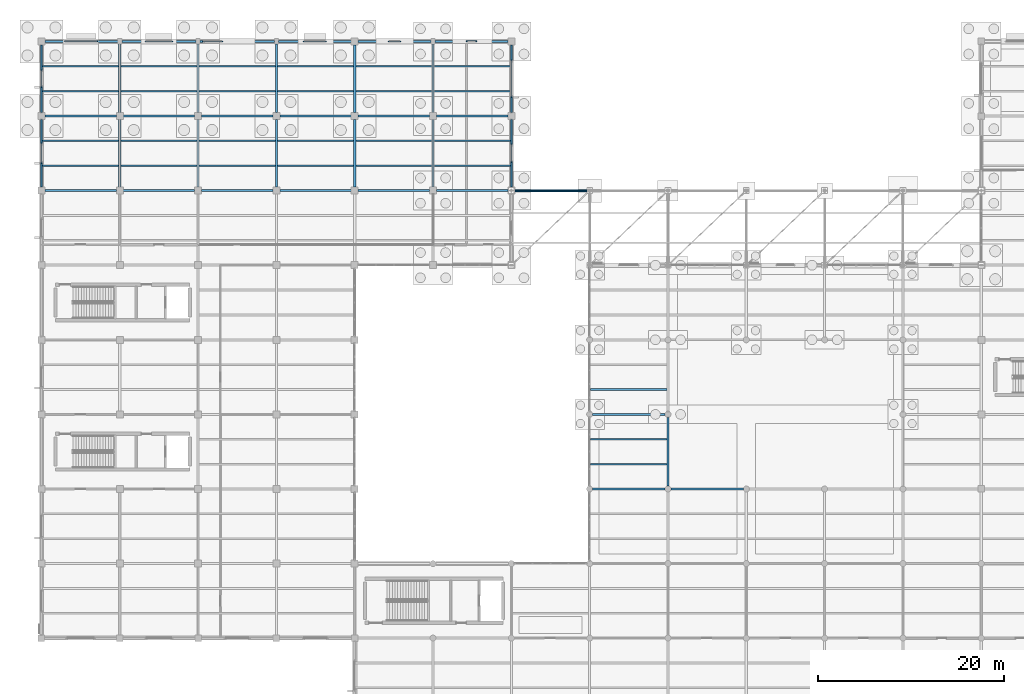
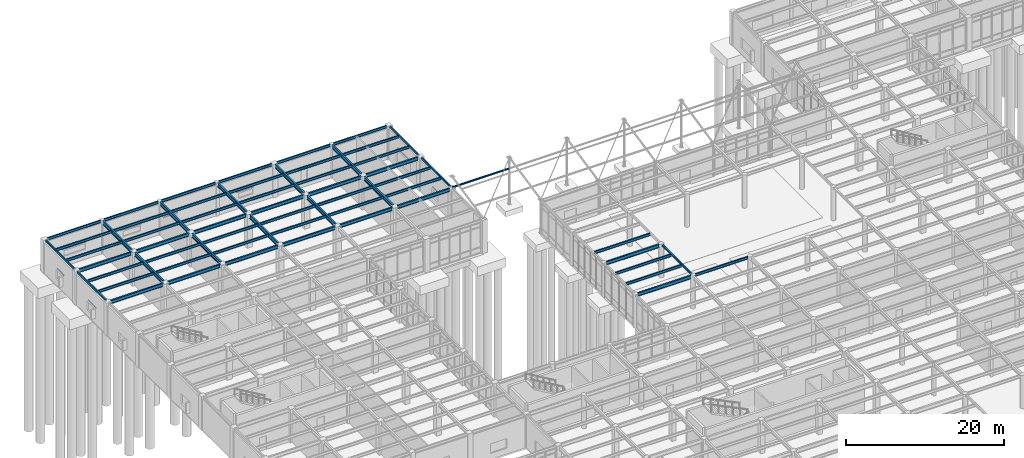
# One storey, part 42 of 138: 73 beams, 1 member.
"""IFC4 building model written with IfcOpenShell, lengths in metres."""

from ifc_helpers import new_model, si_unit, direction, frame, origin, origin_2d, place, context, subcontext, project, spatial, hollow_rectangle, hollow_circle, i_section, u_section, extrude, material, material_profile, profile_set, type_object, element, save


model = new_model("IFC4")

# Units and contexts
model_context = context("Model", 3, precision=1e-05, world=origin(), true_north=direction((0.0, 1.0)))
body_context = subcontext(model_context, "Body", "Model", "MODEL_VIEW")
ifc_project = project(units=[si_unit("LENGTHUNIT", "METRE"), si_unit("AREAUNIT", "SQUARE_METRE"), si_unit("VOLUMEUNIT", "CUBIC_METRE"), si_unit("PLANEANGLEUNIT", "RADIAN"), si_unit("MASSUNIT", "GRAM", prefix="KILO")], contexts=[model_context])

# Site, building, storey
site_placement = place(None, origin())
site = spatial("IfcSite", under=ifc_project, at=site_placement, CompositionType="ELEMENT")
building_placement = place(site_placement, origin())
building = spatial("IfcBuilding", under=site, at=building_placement, Name="Kranzveld Transit Interchange", CompositionType="ELEMENT")
storey_placement = place(building_placement, origin())
storey = spatial("IfcBuildingStorey", under=building, at=storey_placement, Name="L00", CompositionType="ELEMENT", Elevation=0.0)

# Beams
ifc_material_1 = material(Name="Steel S355JR", Category="steel")
ifc_material_profile_1 = material_profile(ifc_material_1, hollow_rectangle(XDim=0.199951171875, YDim=0.300048828125, WallThickness=0.010009765625, InnerFilletRadius=0.014892578125, OuterFilletRadius=0.02490234375, at=origin_2d()), Name="RHS 300x200x10")
ifc_profile_set_1 = profile_set([ifc_material_profile_1], Name="Steel S355JR")
beam_type_1 = type_object("IfcBeamType", Name="Edge Spandrel RHS 300x200x10 S355JR", PredefinedType="SPANDREL", material=ifc_profile_set_1)
for number, where, z_axis, x_axis, name in (
    (1, (0.0, 96.364990234375, 5.0), (0.0, 1.0, 0.0), (-1.0, 0.0, 0.0), "L00 Girder 01/N-P"),
    (2, (0.0, 104.364990234375, 5.0), (0.0, 1.0, 0.0), (-1.0, 0.0, 0.0), "L00 Girder 01/P-Q"),
    (3, (50.39990234375, 96.364990234375, 5.0), (0.0, 1.0, 0.0), (-1.0, 0.0, 0.0), "L00 Girder 07/N-P"),
    (4, (50.39990234375, 104.364990234375, 5.0), (0.0, 1.0, 0.0), (-1.0, 0.0, 0.0), "L00 Girder 07/P-Q"),
):
    element("IfcBeam", number, at=place(storey_placement, frame(where, z_axis=z_axis, x_axis=x_axis)), inside=storey, type_object=beam_type_1, Name=name, PredefinedType="SPANDREL", context=body_context, shape_type="SweptSolid", body=[
        extrude(hollow_rectangle(XDim=0.199951171875, YDim=0.300048828125, WallThickness=0.010009765625, InnerFilletRadius=0.014892578125, OuterFilletRadius=0.02490234375, at=origin_2d()), origin(), (0.0, 0.0, 1.0), 7.27001953125),
    ])
beam_1_placement = place(storey_placement, frame((67.199951171875, 64.31494140625, 5.0), z_axis=(0.0, 1.0, 0.0), x_axis=(-1.0, 0.0, 0.0)))
element("IfcBeam", 5, at=beam_1_placement, inside=storey, type_object=beam_type_1, Name="L00 Girder 09/J-K", PredefinedType="SPANDREL", context=body_context, shape_type="SweptSolid", body=[
    extrude(hollow_rectangle(XDim=0.199951171875, YDim=0.300048828125, WallThickness=0.010009765625, InnerFilletRadius=0.014892578125, OuterFilletRadius=0.02490234375, at=origin_2d()), origin(), (0.0, 0.0, 1.0), 7.3701171875),
])
ifc_material_2 = material(Name="Steel S355JR", Category="steel")
ifc_material_profile_2 = material_profile(ifc_material_2, i_section(OverallWidth=0.1787109375, OverallDepth=0.409423828125, WebThickness=0.0087890625, FlangeThickness=0.014404296875, FilletRadius=0.01025390625, at=origin_2d()), Name="UB 406x178x67")
ifc_profile_set_2 = profile_set([ifc_material_profile_2], Name="Steel S355JR")
beam_type_2 = type_object("IfcBeamType", Name="Facade Spandrel UB 406x178x67 S355JR", PredefinedType="SPANDREL", material=ifc_profile_set_2)
beam_2_placement = place(storey_placement, frame((67.514892578125, 64.0, 4.9453125), z_axis=(1.0, 0.0, 0.0), x_axis=(0.0, 1.0, 0.0)))
element("IfcBeam", 6, at=beam_2_placement, inside=storey, type_object=beam_type_2, Name="L00 Girder 09-10/J", PredefinedType="SPANDREL", context=body_context, shape_type="SweptSolid", body=[
    extrude(i_section(OverallWidth=0.1787109375, OverallDepth=0.409423828125, WebThickness=0.0087890625, FlangeThickness=0.014404296875, FilletRadius=0.01025390625, at=origin_2d()), origin(), (0.0, 0.0, 1.0), 7.77001953125),
])
beam_3_placement = place(storey_placement, frame((0.364990234375, 112.0, 4.9453125), z_axis=(1.0, 0.0, 0.0), x_axis=(0.0, 1.0, 0.0)))
element("IfcBeam", 7, at=beam_3_placement, inside=storey, type_object=beam_type_2, Name="L00 Girder 01-02/Q", PredefinedType="SPANDREL", context=body_context, shape_type="SweptSolid", body=[
    extrude(i_section(OverallWidth=0.1787109375, OverallDepth=0.409423828125, WebThickness=0.0087890625, FlangeThickness=0.014404296875, FilletRadius=0.01025390625, at=origin_2d()), origin(), (0.0, 0.0, 1.0), 7.820068359375),
])
beam_4_placement = place(storey_placement, frame((8.614990234375, 112.0, 4.9453125), z_axis=(1.0, 0.0, 0.0), x_axis=(0.0, 1.0, 0.0)))
element("IfcBeam", 8, at=beam_4_placement, inside=storey, type_object=beam_type_2, Name="L00 Girder 02-03/Q", PredefinedType="SPANDREL", context=body_context, shape_type="SweptSolid", body=[
    extrude(i_section(OverallWidth=0.1787109375, OverallDepth=0.409423828125, WebThickness=0.0087890625, FlangeThickness=0.014404296875, FilletRadius=0.01025390625, at=origin_2d()), origin(), (0.0, 0.0, 1.0), 7.969970703125),
])
beam_5_placement = place(storey_placement, frame((17.014892578125, 112.0, 4.9453125), z_axis=(1.0, 0.0, 0.0), x_axis=(0.0, 1.0, 0.0)))
element("IfcBeam", 9, at=beam_5_placement, inside=storey, type_object=beam_type_2, Name="L00 Girder 03-04/Q", PredefinedType="SPANDREL", context=body_context, shape_type="SweptSolid", body=[
    extrude(i_section(OverallWidth=0.1787109375, OverallDepth=0.409423828125, WebThickness=0.0087890625, FlangeThickness=0.014404296875, FilletRadius=0.01025390625, at=origin_2d()), origin(), (0.0, 0.0, 1.0), 7.97021484375),
])
beam_6_placement = place(storey_placement, frame((25.4150390625, 112.0, 4.9453125), z_axis=(1.0, 0.0, 0.0), x_axis=(0.0, 1.0, 0.0)))
element("IfcBeam", 10, at=beam_6_placement, inside=storey, type_object=beam_type_2, Name="L00 Girder 04-05/Q", PredefinedType="SPANDREL", context=body_context, shape_type="SweptSolid", body=[
    extrude(i_section(OverallWidth=0.1787109375, OverallDepth=0.409423828125, WebThickness=0.0087890625, FlangeThickness=0.014404296875, FilletRadius=0.01025390625, at=origin_2d()), origin(), (0.0, 0.0, 1.0), 7.820068359375),
])
for number, where, z_axis, x_axis, name in (
    (11, (33.965087890625, 112.0, 4.9453125), (1.0, 0.0, 0.0), (0.0, 1.0, 0.0), "L00 Girder 05-06/Q"),
    (12, (42.215087890625, 112.0, 4.9453125), (1.0, 0.0, 0.0), (0.0, 1.0, 0.0), "L00 Girder 06-07/Q"),
):
    element("IfcBeam", number, at=place(storey_placement, frame(where, z_axis=z_axis, x_axis=x_axis)), inside=storey, type_object=beam_type_2, Name=name, PredefinedType="SPANDREL", context=body_context, shape_type="SweptSolid", body=[
        extrude(i_section(OverallWidth=0.1787109375, OverallDepth=0.409423828125, WebThickness=0.0087890625, FlangeThickness=0.014404296875, FilletRadius=0.01025390625, at=origin_2d()), origin(), (0.0, 0.0, 1.0), 7.81982421875),
    ])
ifc_material_3 = material(Name="Steel S355JR", Category="steel")
ifc_material_profile_3 = material_profile(ifc_material_3, i_section(OverallWidth=0.177734375, OverallDepth=0.402587890625, WebThickness=0.0078125, FlangeThickness=0.010986328125, FilletRadius=0.01025390625, at=origin_2d()), Name="UB 406x178x54")
ifc_profile_set_3 = profile_set([ifc_material_profile_3], Name="Steel S355JR")
beam_type_3 = type_object("IfcBeamType", Name="Floor Joist UB 406x178x54 S355JR", PredefinedType="JOIST", material=ifc_profile_set_3)
for number, where, z_axis, x_axis, name in (
    (13, (0.10205078125, 98.666748046875, 4.94873046875), (1.0, 0.0, 0.0), (0.0, 1.0, 0.0), "L00 Secondary Joist 01-02/N.1"),
    (14, (0.10205078125, 101.333251953125, 4.94873046875), (1.0, 0.0, 0.0), (0.0, 1.0, 0.0), "L00 Secondary Joist 01-02/N.2"),
    (15, (0.10205078125, 106.666748046875, 4.94873046875), (1.0, 0.0, 0.0), (0.0, 1.0, 0.0), "L00 Secondary Joist 01-02/P.1"),
    (16, (0.10205078125, 109.333251953125, 4.94873046875), (1.0, 0.0, 0.0), (0.0, 1.0, 0.0), "L00 Secondary Joist 01-02/P.2"),
):
    element("IfcBeam", number, at=place(storey_placement, frame(where, z_axis=z_axis, x_axis=x_axis)), inside=storey, type_object=beam_type_3, Name=name, PredefinedType="JOIST", context=body_context, shape_type="SweptSolid", body=[
        extrude(i_section(OverallWidth=0.177734375, OverallDepth=0.402587890625, WebThickness=0.0078125, FlangeThickness=0.010986328125, FilletRadius=0.01025390625, at=origin_2d()), origin(), (0.0, 0.0, 1.0), 8.181884765625),
    ])
for number, where, z_axis, x_axis, name in (
    (17, (8.51611328125, 98.666748046875, 4.94873046875), (1.0, 0.0, 0.0), (0.0, 1.0, 0.0), "L00 Secondary Joist 02-03/N.1"),
    (18, (8.51611328125, 101.333251953125, 4.94873046875), (1.0, 0.0, 0.0), (0.0, 1.0, 0.0), "L00 Secondary Joist 02-03/N.2"),
    (19, (8.51611328125, 106.666748046875, 4.94873046875), (1.0, 0.0, 0.0), (0.0, 1.0, 0.0), "L00 Secondary Joist 02-03/P.1"),
    (20, (8.51611328125, 109.333251953125, 4.94873046875), (1.0, 0.0, 0.0), (0.0, 1.0, 0.0), "L00 Secondary Joist 02-03/P.2"),
):
    element("IfcBeam", number, at=place(storey_placement, frame(where, z_axis=z_axis, x_axis=x_axis)), inside=storey, type_object=beam_type_3, Name=name, PredefinedType="JOIST", context=body_context, shape_type="SweptSolid", body=[
        extrude(i_section(OverallWidth=0.177734375, OverallDepth=0.402587890625, WebThickness=0.0078125, FlangeThickness=0.010986328125, FilletRadius=0.01025390625, at=origin_2d()), origin(), (0.0, 0.0, 1.0), 8.167724609375),
    ])
for number, where, z_axis, x_axis, name in (
    (21, (16.916015625, 98.666748046875, 4.94873046875), (1.0, 0.0, 0.0), (0.0, 1.0, 0.0), "L00 Secondary Joist 03-04/N.1"),
    (22, (16.916015625, 101.333251953125, 4.94873046875), (1.0, 0.0, 0.0), (0.0, 1.0, 0.0), "L00 Secondary Joist 03-04/N.2"),
    (23, (16.916015625, 106.666748046875, 4.94873046875), (1.0, 0.0, 0.0), (0.0, 1.0, 0.0), "L00 Secondary Joist 03-04/P.1"),
    (24, (16.916015625, 109.333251953125, 4.94873046875), (1.0, 0.0, 0.0), (0.0, 1.0, 0.0), "L00 Secondary Joist 03-04/P.2"),
):
    element("IfcBeam", number, at=place(storey_placement, frame(where, z_axis=z_axis, x_axis=x_axis)), inside=storey, type_object=beam_type_3, Name=name, PredefinedType="JOIST", context=body_context, shape_type="SweptSolid", body=[
        extrude(i_section(OverallWidth=0.177734375, OverallDepth=0.402587890625, WebThickness=0.0078125, FlangeThickness=0.010986328125, FilletRadius=0.01025390625, at=origin_2d()), origin(), (0.0, 0.0, 1.0), 8.16796875),
    ])
for number, where, z_axis, x_axis, name in (
    (25, (25.316162109375, 98.666748046875, 4.94873046875), (1.0, 0.0, 0.0), (0.0, 1.0, 0.0), "L00 Secondary Joist 04-05/N.1"),
    (26, (25.316162109375, 101.333251953125, 4.94873046875), (1.0, 0.0, 0.0), (0.0, 1.0, 0.0), "L00 Secondary Joist 04-05/N.2"),
    (27, (25.316162109375, 106.666748046875, 4.94873046875), (1.0, 0.0, 0.0), (0.0, 1.0, 0.0), "L00 Secondary Joist 04-05/P.1"),
    (28, (25.316162109375, 109.333251953125, 4.94873046875), (1.0, 0.0, 0.0), (0.0, 1.0, 0.0), "L00 Secondary Joist 04-05/P.2"),
    (29, (33.716064453125, 98.666748046875, 4.94873046875), (1.0, 0.0, 0.0), (0.0, 1.0, 0.0), "L00 Secondary Joist 05-06/N.1"),
    (30, (33.716064453125, 101.333251953125, 4.94873046875), (1.0, 0.0, 0.0), (0.0, 1.0, 0.0), "L00 Secondary Joist 05-06/N.2"),
    (31, (33.716064453125, 106.666748046875, 4.94873046875), (1.0, 0.0, 0.0), (0.0, 1.0, 0.0), "L00 Secondary Joist 05-06/P.1"),
    (32, (33.716064453125, 109.333251953125, 4.94873046875), (1.0, 0.0, 0.0), (0.0, 1.0, 0.0), "L00 Secondary Joist 05-06/P.2"),
):
    element("IfcBeam", number, at=place(storey_placement, frame(where, z_axis=z_axis, x_axis=x_axis)), inside=storey, type_object=beam_type_3, Name=name, PredefinedType="JOIST", context=body_context, shape_type="SweptSolid", body=[
        extrude(i_section(OverallWidth=0.177734375, OverallDepth=0.402587890625, WebThickness=0.0078125, FlangeThickness=0.010986328125, FilletRadius=0.01025390625, at=origin_2d()), origin(), (0.0, 0.0, 1.0), 8.167724609375),
    ])
for number, where, z_axis, x_axis, name in (
    (33, (42.1162109375, 98.666748046875, 4.94873046875), (1.0, 0.0, 0.0), (0.0, 1.0, 0.0), "L00 Secondary Joist 06-07/N.1"),
    (34, (42.1162109375, 101.333251953125, 4.94873046875), (1.0, 0.0, 0.0), (0.0, 1.0, 0.0), "L00 Secondary Joist 06-07/N.2"),
    (35, (42.1162109375, 106.666748046875, 4.94873046875), (1.0, 0.0, 0.0), (0.0, 1.0, 0.0), "L00 Secondary Joist 06-07/P.1"),
    (36, (42.1162109375, 109.333251953125, 4.94873046875), (1.0, 0.0, 0.0), (0.0, 1.0, 0.0), "L00 Secondary Joist 06-07/P.2"),
):
    element("IfcBeam", number, at=place(storey_placement, frame(where, z_axis=z_axis, x_axis=x_axis)), inside=storey, type_object=beam_type_3, Name=name, PredefinedType="JOIST", context=body_context, shape_type="SweptSolid", body=[
        extrude(i_section(OverallWidth=0.177734375, OverallDepth=0.402587890625, WebThickness=0.0078125, FlangeThickness=0.010986328125, FilletRadius=0.01025390625, at=origin_2d()), origin(), (0.0, 0.0, 1.0), 8.181884765625),
    ])
for number, where, z_axis, x_axis, name in (
    (37, (58.902099609375, 66.666748046875, 4.94873046875), (1.0, 0.0, 0.0), (0.0, 1.0, 0.0), "L00 Secondary Joist 08-09/J.1"),
    (38, (58.902099609375, 69.333251953125, 4.94873046875), (1.0, 0.0, 0.0), (0.0, 1.0, 0.0), "L00 Secondary Joist 08-09/J.2"),
    (39, (58.902099609375, 74.666748046875, 4.94873046875), (1.0, 0.0, 0.0), (0.0, 1.0, 0.0), "L00 Secondary Joist 08-09/K.1"),
):
    element("IfcBeam", number, at=place(storey_placement, frame(where, z_axis=z_axis, x_axis=x_axis)), inside=storey, type_object=beam_type_3, Name=name, PredefinedType="JOIST", context=body_context, shape_type="SweptSolid", body=[
        extrude(i_section(OverallWidth=0.177734375, OverallDepth=0.402587890625, WebThickness=0.0078125, FlangeThickness=0.010986328125, FilletRadius=0.01025390625, at=origin_2d()), origin(), (0.0, 0.0, 1.0), 8.19580078125),
    ])
ifc_material_4 = material(Name="Steel S355JR", Category="steel")
ifc_material_profile_4 = material_profile(ifc_material_4, i_section(OverallWidth=0.2119140625, OverallDepth=0.54443359375, WebThickness=0.0126953125, FlangeThickness=0.021240234375, FilletRadius=0.0126953125, at=origin_2d()), Name="UB 533x210x122")
ifc_profile_set_4 = profile_set([ifc_material_profile_4], Name="Steel S355JR")
beam_type_4 = type_object("IfcBeamType", Name="Girder Steel UB 533x210x122 S355JR", PredefinedType="BEAM", material=ifc_profile_set_4)
for number, where, z_axis, x_axis, name in (
    (40, (59.114990234375, 64.0, 4.877685546875), (1.0, 0.0, 0.0), (0.0, 1.0, 0.0), "L00 Girder 08-09/J"),
    (41, (59.114990234375, 72.0, 4.877685546875), (1.0, 0.0, 0.0), (0.0, 1.0, 0.0), "L00 Girder 08-09/K"),
):
    element("IfcBeam", number, at=place(storey_placement, frame(where, z_axis=z_axis, x_axis=x_axis)), inside=storey, type_object=beam_type_4, Name=name, PredefinedType="BEAM", context=body_context, shape_type="SweptSolid", body=[
        extrude(i_section(OverallWidth=0.2119140625, OverallDepth=0.54443359375, WebThickness=0.0126953125, FlangeThickness=0.021240234375, FilletRadius=0.0126953125, at=origin_2d()), origin(), (0.0, 0.0, 1.0), 7.77001953125),
    ])
beam_7_placement = place(storey_placement, frame((0.364990234375, 96.0, 4.877685546875), z_axis=(1.0, 0.0, 0.0), x_axis=(0.0, 1.0, 0.0)))
element("IfcBeam", 42, at=beam_7_placement, inside=storey, type_object=beam_type_4, Name="L00 Girder 01-02/N", PredefinedType="BEAM", context=body_context, shape_type="SweptSolid", body=[
    extrude(i_section(OverallWidth=0.2119140625, OverallDepth=0.54443359375, WebThickness=0.0126953125, FlangeThickness=0.021240234375, FilletRadius=0.0126953125, at=origin_2d()), origin(), (0.0, 0.0, 1.0), 7.669921875),
])
beam_8_placement = place(storey_placement, frame((8.764892578125, 96.0, 4.877685546875), z_axis=(1.0, 0.0, 0.0), x_axis=(0.0, 1.0, 0.0)))
element("IfcBeam", 43, at=beam_8_placement, inside=storey, type_object=beam_type_4, Name="L00 Girder 02-03/N", PredefinedType="BEAM", context=body_context, shape_type="SweptSolid", body=[
    extrude(i_section(OverallWidth=0.2119140625, OverallDepth=0.54443359375, WebThickness=0.0126953125, FlangeThickness=0.021240234375, FilletRadius=0.0126953125, at=origin_2d()), origin(), (0.0, 0.0, 1.0), 7.670166015625),
])
beam_9_placement = place(storey_placement, frame((17.1650390625, 96.0, 4.877685546875), z_axis=(1.0, 0.0, 0.0), x_axis=(0.0, 1.0, 0.0)))
element("IfcBeam", 44, at=beam_9_placement, inside=storey, type_object=beam_type_4, Name="L00 Girder 03-04/N", PredefinedType="BEAM", context=body_context, shape_type="SweptSolid", body=[
    extrude(i_section(OverallWidth=0.2119140625, OverallDepth=0.54443359375, WebThickness=0.0126953125, FlangeThickness=0.021240234375, FilletRadius=0.0126953125, at=origin_2d()), origin(), (0.0, 0.0, 1.0), 7.669921875),
])
beam_10_placement = place(storey_placement, frame((25.56494140625, 96.0, 4.877685546875), z_axis=(1.0, 0.0, 0.0), x_axis=(0.0, 1.0, 0.0)))
element("IfcBeam", 45, at=beam_10_placement, inside=storey, type_object=beam_type_4, Name="L00 Girder 04-05/N", PredefinedType="BEAM", context=body_context, shape_type="SweptSolid", body=[
    extrude(i_section(OverallWidth=0.2119140625, OverallDepth=0.54443359375, WebThickness=0.0126953125, FlangeThickness=0.021240234375, FilletRadius=0.0126953125, at=origin_2d()), origin(), (0.0, 0.0, 1.0), 7.670166015625),
])
for number, where, z_axis, x_axis, name in (
    (46, (33.965087890625, 96.0, 4.877685546875), (1.0, 0.0, 0.0), (0.0, 1.0, 0.0), "L00 Girder 05-06/N"),
    (47, (42.364990234375, 96.0, 4.877685546875), (1.0, 0.0, 0.0), (0.0, 1.0, 0.0), "L00 Girder 06-07/N"),
    (48, (0.364990234375, 104.0, 4.877685546875), (1.0, 0.0, 0.0), (0.0, 1.0, 0.0), "L00 Girder 01-02/P"),
):
    element("IfcBeam", number, at=place(storey_placement, frame(where, z_axis=z_axis, x_axis=x_axis)), inside=storey, type_object=beam_type_4, Name=name, PredefinedType="BEAM", context=body_context, shape_type="SweptSolid", body=[
        extrude(i_section(OverallWidth=0.2119140625, OverallDepth=0.54443359375, WebThickness=0.0126953125, FlangeThickness=0.021240234375, FilletRadius=0.0126953125, at=origin_2d()), origin(), (0.0, 0.0, 1.0), 7.669921875),
    ])
beam_11_placement = place(storey_placement, frame((8.764892578125, 104.0, 4.877685546875), z_axis=(1.0, 0.0, 0.0), x_axis=(0.0, 1.0, 0.0)))
element("IfcBeam", 49, at=beam_11_placement, inside=storey, type_object=beam_type_4, Name="L00 Girder 02-03/P", PredefinedType="BEAM", context=body_context, shape_type="SweptSolid", body=[
    extrude(i_section(OverallWidth=0.2119140625, OverallDepth=0.54443359375, WebThickness=0.0126953125, FlangeThickness=0.021240234375, FilletRadius=0.0126953125, at=origin_2d()), origin(), (0.0, 0.0, 1.0), 7.670166015625),
])
beam_12_placement = place(storey_placement, frame((17.1650390625, 104.0, 4.877685546875), z_axis=(1.0, 0.0, 0.0), x_axis=(0.0, 1.0, 0.0)))
element("IfcBeam", 50, at=beam_12_placement, inside=storey, type_object=beam_type_4, Name="L00 Girder 03-04/P", PredefinedType="BEAM", context=body_context, shape_type="SweptSolid", body=[
    extrude(i_section(OverallWidth=0.2119140625, OverallDepth=0.54443359375, WebThickness=0.0126953125, FlangeThickness=0.021240234375, FilletRadius=0.0126953125, at=origin_2d()), origin(), (0.0, 0.0, 1.0), 7.669921875),
])
beam_13_placement = place(storey_placement, frame((25.56494140625, 104.0, 4.877685546875), z_axis=(1.0, 0.0, 0.0), x_axis=(0.0, 1.0, 0.0)))
element("IfcBeam", 51, at=beam_13_placement, inside=storey, type_object=beam_type_4, Name="L00 Girder 04-05/P", PredefinedType="BEAM", context=body_context, shape_type="SweptSolid", body=[
    extrude(i_section(OverallWidth=0.2119140625, OverallDepth=0.54443359375, WebThickness=0.0126953125, FlangeThickness=0.021240234375, FilletRadius=0.0126953125, at=origin_2d()), origin(), (0.0, 0.0, 1.0), 7.670166015625),
])
for number, where, z_axis, x_axis, name in (
    (52, (33.965087890625, 104.0, 4.877685546875), (1.0, 0.0, 0.0), (0.0, 1.0, 0.0), "L00 Girder 05-06/P"),
    (53, (42.364990234375, 104.0, 4.877685546875), (1.0, 0.0, 0.0), (0.0, 1.0, 0.0), "L00 Girder 06-07/P"),
):
    element("IfcBeam", number, at=place(storey_placement, frame(where, z_axis=z_axis, x_axis=x_axis)), inside=storey, type_object=beam_type_4, Name=name, PredefinedType="BEAM", context=body_context, shape_type="SweptSolid", body=[
        extrude(i_section(OverallWidth=0.2119140625, OverallDepth=0.54443359375, WebThickness=0.0126953125, FlangeThickness=0.021240234375, FilletRadius=0.0126953125, at=origin_2d()), origin(), (0.0, 0.0, 1.0), 7.669921875),
    ])
ifc_material_5 = material(Name="Steel S355JR", Category="steel")
ifc_material_profile_5 = material_profile(ifc_material_5, i_section(OverallWidth=0.228271484375, OverallDepth=0.607666015625, WebThickness=0.010986328125, FlangeThickness=0.017333984375, FilletRadius=0.0126953125, at=origin_2d()), Name="UB 610x229x113")
ifc_profile_set_5 = profile_set([ifc_material_profile_5], Name="Steel S355JR")
beam_type_5 = type_object("IfcBeamType", Name="Girder Steel UB 610x229x113 S355JR", PredefinedType="BEAM", material=ifc_profile_set_5)
beam_14_placement = place(storey_placement, frame((8.39990234375, 96.364990234375, 4.84619140625), z_axis=(0.0, 1.0, 0.0), x_axis=(-1.0, 0.0, 0.0)))
element("IfcBeam", 54, at=beam_14_placement, inside=storey, type_object=beam_type_5, Name="L00 Girder 02/N-P", PredefinedType="BEAM", context=body_context, shape_type="SweptSolid", body=[
    extrude(i_section(OverallWidth=0.228271484375, OverallDepth=0.607666015625, WebThickness=0.010986328125, FlangeThickness=0.017333984375, FilletRadius=0.0126953125, at=origin_2d()), origin(), (0.0, 0.0, 1.0), 7.27001953125),
])
beam_15_placement = place(storey_placement, frame((8.39990234375, 104.364990234375, 4.84619140625), z_axis=(0.0, 1.0, 0.0), x_axis=(-1.0, 0.0, 0.0)))
element("IfcBeam", 55, at=beam_15_placement, inside=storey, type_object=beam_type_5, Name="L00 Girder 02/P-Q", PredefinedType="BEAM", context=body_context, shape_type="SweptSolid", body=[
    extrude(i_section(OverallWidth=0.228271484375, OverallDepth=0.607666015625, WebThickness=0.010986328125, FlangeThickness=0.017333984375, FilletRadius=0.0126953125, at=origin_2d()), origin(), (0.0, 0.0, 1.0), 7.344970703125),
])
beam_16_placement = place(storey_placement, frame((16.800048828125, 96.364990234375, 4.84619140625), z_axis=(0.0, 1.0, 0.0), x_axis=(-1.0, 0.0, 0.0)))
element("IfcBeam", 56, at=beam_16_placement, inside=storey, type_object=beam_type_5, Name="L00 Girder 03/N-P", PredefinedType="BEAM", context=body_context, shape_type="SweptSolid", body=[
    extrude(i_section(OverallWidth=0.228271484375, OverallDepth=0.607666015625, WebThickness=0.010986328125, FlangeThickness=0.017333984375, FilletRadius=0.0126953125, at=origin_2d()), origin(), (0.0, 0.0, 1.0), 7.27001953125),
])
beam_17_placement = place(storey_placement, frame((16.800048828125, 104.364990234375, 4.84619140625), z_axis=(0.0, 1.0, 0.0), x_axis=(-1.0, 0.0, 0.0)))
element("IfcBeam", 57, at=beam_17_placement, inside=storey, type_object=beam_type_5, Name="L00 Girder 03/P-Q", PredefinedType="BEAM", context=body_context, shape_type="SweptSolid", body=[
    extrude(i_section(OverallWidth=0.228271484375, OverallDepth=0.607666015625, WebThickness=0.010986328125, FlangeThickness=0.017333984375, FilletRadius=0.0126953125, at=origin_2d()), origin(), (0.0, 0.0, 1.0), 7.344970703125),
])
beam_18_placement = place(storey_placement, frame((25.199951171875, 96.364990234375, 4.84619140625), z_axis=(0.0, 1.0, 0.0), x_axis=(-1.0, 0.0, 0.0)))
element("IfcBeam", 58, at=beam_18_placement, inside=storey, type_object=beam_type_5, Name="L00 Girder 04/N-P", PredefinedType="BEAM", context=body_context, shape_type="SweptSolid", body=[
    extrude(i_section(OverallWidth=0.228271484375, OverallDepth=0.607666015625, WebThickness=0.010986328125, FlangeThickness=0.017333984375, FilletRadius=0.0126953125, at=origin_2d()), origin(), (0.0, 0.0, 1.0), 7.27001953125),
])
beam_19_placement = place(storey_placement, frame((25.199951171875, 104.364990234375, 4.84619140625), z_axis=(0.0, 1.0, 0.0), x_axis=(-1.0, 0.0, 0.0)))
element("IfcBeam", 59, at=beam_19_placement, inside=storey, type_object=beam_type_5, Name="L00 Girder 04/P-Q", PredefinedType="BEAM", context=body_context, shape_type="SweptSolid", body=[
    extrude(i_section(OverallWidth=0.228271484375, OverallDepth=0.607666015625, WebThickness=0.010986328125, FlangeThickness=0.017333984375, FilletRadius=0.0126953125, at=origin_2d()), origin(), (0.0, 0.0, 1.0), 7.344970703125),
])
for number, where, z_axis, x_axis, name in (
    (60, (33.60009765625, 96.364990234375, 4.84619140625), (0.0, 1.0, 0.0), (-1.0, 0.0, 0.0), "L00 Girder 05/N-P"),
    (61, (33.60009765625, 104.364990234375, 4.84619140625), (0.0, 1.0, 0.0), (-1.0, 0.0, 0.0), "L00 Girder 05/P-Q"),
    (62, (42.0, 96.364990234375, 4.84619140625), (0.0, 1.0, 0.0), (-1.0, 0.0, 0.0), "L00 Girder 06/N-P"),
):
    element("IfcBeam", number, at=place(storey_placement, frame(where, z_axis=z_axis, x_axis=x_axis)), inside=storey, type_object=beam_type_5, Name=name, PredefinedType="BEAM", context=body_context, shape_type="SweptSolid", body=[
        extrude(i_section(OverallWidth=0.228271484375, OverallDepth=0.607666015625, WebThickness=0.010986328125, FlangeThickness=0.017333984375, FilletRadius=0.0126953125, at=origin_2d()), origin(), (0.0, 0.0, 1.0), 7.27001953125),
    ])
beam_20_placement = place(storey_placement, frame((42.0, 104.364990234375, 4.84619140625), z_axis=(0.0, 1.0, 0.0), x_axis=(-1.0, 0.0, 0.0)))
element("IfcBeam", 63, at=beam_20_placement, inside=storey, type_object=beam_type_5, Name="L00 Girder 06/P-Q", PredefinedType="BEAM", context=body_context, shape_type="SweptSolid", body=[
    extrude(i_section(OverallWidth=0.228271484375, OverallDepth=0.607666015625, WebThickness=0.010986328125, FlangeThickness=0.017333984375, FilletRadius=0.0126953125, at=origin_2d()), origin(), (0.0, 0.0, 1.0), 7.344970703125),
])
ifc_material_6 = material(Name="Steel S355JR", Category="steel")
ifc_material_profile_6 = material_profile(ifc_material_6, u_section(Depth=0.179931640625, FlangeWidth=0.070068359375, WebThickness=0.007080078125, FlangeThickness=0.010986328125, FilletRadius=0.010009765625, at=origin_2d()), Name="PFC 180x70x22")
ifc_profile_set_6 = profile_set([ifc_material_profile_6], Name="Steel S355JR")
beam_type_6 = type_object("IfcBeamType", Name="Masonry Lintel PFC 180x70x22 S355JR", PredefinedType="LINTEL", material=ifc_profile_set_6)
beam_21_placement = place(storey_placement, frame((0.0, 107.070068359375, 2.39501953125), z_axis=(0.0, 1.0, 0.0), x_axis=(-1.0, 0.0, 0.0)))
element("IfcBeam", 64, at=beam_21_placement, inside=storey, type_object=beam_type_6, Name="L00 Window Lintel 013", PredefinedType="LINTEL", context=body_context, shape_type="SweptSolid", body=[
    extrude(u_section(Depth=0.179931640625, FlangeWidth=0.070068359375, WebThickness=0.007080078125, FlangeThickness=0.010986328125, FilletRadius=0.010009765625, at=origin_2d()), origin(), (0.0, 0.0, 1.0), 1.85986328125),
])
beam_22_placement = place(storey_placement, frame((37.219970703125, 112.0, 2.844970703125), z_axis=(1.0, 0.0, 0.0), x_axis=(0.0, 1.0, 0.0)))
element("IfcBeam", 65, at=beam_22_placement, inside=storey, type_object=beam_type_6, Name="L00 Window Lintel 017", PredefinedType="LINTEL", context=body_context, shape_type="SweptSolid", body=[
    extrude(u_section(Depth=0.179931640625, FlangeWidth=0.070068359375, WebThickness=0.007080078125, FlangeThickness=0.010986328125, FilletRadius=0.010009765625, at=origin_2d()), origin(), (0.0, 0.0, 1.0), 1.31005859375),
])
beam_23_placement = place(storey_placement, frame((50.39990234375, 106.02001953125, 2.794921875), z_axis=(0.0, 1.0, 0.0), x_axis=(-1.0, 0.0, 0.0)))
element("IfcBeam", 66, at=beam_23_placement, inside=storey, type_object=beam_type_6, Name="L00 Window Lintel 021", PredefinedType="LINTEL", context=body_context, shape_type="SweptSolid", body=[
    extrude(u_section(Depth=0.179931640625, FlangeWidth=0.070068359375, WebThickness=0.007080078125, FlangeThickness=0.010986328125, FilletRadius=0.010009765625, at=origin_2d()), origin(), (0.0, 0.0, 1.0), 3.9599609375),
])
ifc_material_7 = material(Name="Steel S355JR", Category="steel")
ifc_material_profile_7 = material_profile(ifc_material_7, u_section(Depth=0.199951171875, FlangeWidth=0.074951171875, WebThickness=0.006103515625, FlangeThickness=0.012451171875, FilletRadius=0.011962890625, at=origin_2d()), Name="PFC 200x75x23")
ifc_profile_set_7 = profile_set([ifc_material_profile_7], Name="Steel S355JR")
beam_type_7 = type_object("IfcBeamType", Name="Masonry Lintel PFC 200x75x23 S355JR", PredefinedType="LINTEL", material=ifc_profile_set_7)
beam_24_placement = place(storey_placement, frame((0.0, 98.919921875, 2.304931640625), z_axis=(0.0, 1.0, 0.0), x_axis=(-1.0, 0.0, 0.0)))
element("IfcBeam", 67, at=beam_24_placement, inside=storey, type_object=beam_type_7, Name="L00 Window Lintel 012", PredefinedType="LINTEL", context=body_context, shape_type="SweptSolid", body=[
    extrude(u_section(Depth=0.199951171875, FlangeWidth=0.074951171875, WebThickness=0.006103515625, FlangeThickness=0.012451171875, FilletRadius=0.011962890625, at=origin_2d()), origin(), (0.0, 0.0, 1.0), 2.16015625),
])
beam_25_placement = place(storey_placement, frame((28.094970703125, 112.0, 2.455078125), z_axis=(1.0, 0.0, 0.0), x_axis=(0.0, 1.0, 0.0)))
element("IfcBeam", 68, at=beam_25_placement, inside=storey, type_object=beam_type_7, Name="L00 Window Lintel 016", PredefinedType="LINTEL", context=body_context, shape_type="SweptSolid", body=[
    extrude(u_section(Depth=0.199951171875, FlangeWidth=0.074951171875, WebThickness=0.006103515625, FlangeThickness=0.012451171875, FilletRadius=0.011962890625, at=origin_2d()), origin(), (0.0, 0.0, 1.0), 2.4599609375),
])
beam_26_placement = place(storey_placement, frame((50.39990234375, 99.02001953125, 2.205078125), z_axis=(0.0, 1.0, 0.0), x_axis=(-1.0, 0.0, 0.0)))
element("IfcBeam", 69, at=beam_26_placement, inside=storey, type_object=beam_type_7, Name="L00 Window Lintel 020", PredefinedType="LINTEL", context=body_context, shape_type="SweptSolid", body=[
    extrude(u_section(Depth=0.199951171875, FlangeWidth=0.074951171875, WebThickness=0.006103515625, FlangeThickness=0.012451171875, FilletRadius=0.011962890625, at=origin_2d()), origin(), (0.0, 0.0, 1.0), 1.9599609375),
])
ifc_material_8 = material(Name="Steel S355JR", Category="steel")
ifc_material_profile_8 = material_profile(ifc_material_8, u_section(Depth=0.22998046875, FlangeWidth=0.090087890625, WebThickness=0.007568359375, FlangeThickness=0.013916015625, FilletRadius=0.011962890625, at=origin_2d()), Name="PFC 230x90x32")
ifc_profile_set_8 = profile_set([ifc_material_profile_8], Name="Steel S355JR")
beam_type_8 = type_object("IfcBeamType", Name="Masonry Lintel PFC 230x90x32 S355JR", PredefinedType="LINTEL", material=ifc_profile_set_8)
beam_27_placement = place(storey_placement, frame((17.294921875, 112.0, 2.320068359375), z_axis=(1.0, 0.0, 0.0), x_axis=(0.0, 1.0, 0.0)))
element("IfcBeam", 70, at=beam_27_placement, inside=storey, type_object=beam_type_8, Name="L00 Entrance Door Lintel 003", PredefinedType="LINTEL", context=body_context, shape_type="SweptSolid", body=[
    extrude(u_section(Depth=0.22998046875, FlangeWidth=0.090087890625, WebThickness=0.007568359375, FlangeThickness=0.013916015625, FilletRadius=0.011962890625, at=origin_2d()), origin(), (0.0, 0.0, 1.0), 2.16015625),
])
ifc_material_9 = material(Name="Steel S355JR", Category="steel")
ifc_material_profile_9 = material_profile(ifc_material_9, i_section(OverallWidth=0.091064453125, OverallDepth=0.179931640625, WebThickness=0.00537109375, FlangeThickness=0.008056640625, FilletRadius=0.009033203125, at=origin_2d()), Name="IPE 180")
ifc_profile_set_9 = profile_set([ifc_material_profile_9], Name="Steel S355JR")
beam_type_9 = type_object("IfcBeamType", Name="Opening Lintel IPE 180 S355JR", PredefinedType="LINTEL", material=ifc_profile_set_9)
beam_28_placement = place(storey_placement, frame((11.1201171875, 112.0, 2.4951171875), z_axis=(1.0, 0.0, 0.0), x_axis=(0.0, 1.0, 0.0)))
element("IfcBeam", 71, at=beam_28_placement, inside=storey, type_object=beam_type_9, Name="L00 Window Lintel 015", PredefinedType="LINTEL", context=body_context, shape_type="SweptSolid", body=[
    extrude(i_section(OverallWidth=0.091064453125, OverallDepth=0.179931640625, WebThickness=0.00537109375, FlangeThickness=0.008056640625, FilletRadius=0.009033203125, at=origin_2d()), origin(), (0.0, 0.0, 1.0), 2.9599609375),
])
ifc_material_10 = material(Name="Steel S355JR", Category="steel")
ifc_material_profile_10 = material_profile(ifc_material_10, i_section(OverallWidth=0.10009765625, OverallDepth=0.199951171875, WebThickness=0.005615234375, FlangeThickness=0.008544921875, FilletRadius=0.011962890625, at=origin_2d()), Name="IPE 200")
ifc_profile_set_10 = profile_set([ifc_material_profile_10], Name="Steel S355JR")
beam_type_10 = type_object("IfcBeamType", Name="Opening Lintel IPE 200 S355JR", PredefinedType="LINTEL", material=ifc_profile_set_10)
beam_29_placement = place(storey_placement, frame((2.4951171875, 112.0, 2.554931640625), z_axis=(1.0, 0.0, 0.0), x_axis=(0.0, 1.0, 0.0)))
element("IfcBeam", 72, at=beam_29_placement, inside=storey, type_object=beam_type_10, Name="L00 Window Lintel 014", PredefinedType="LINTEL", context=body_context, shape_type="SweptSolid", body=[
    extrude(i_section(OverallWidth=0.10009765625, OverallDepth=0.199951171875, WebThickness=0.005615234375, FlangeThickness=0.008544921875, FilletRadius=0.011962890625, at=origin_2d()), origin(), (0.0, 0.0, 1.0), 3.559814453125),
])
beam_30_placement = place(storey_placement, frame((45.544921875, 112.0, 2.60498046875), z_axis=(1.0, 0.0, 0.0), x_axis=(0.0, 1.0, 0.0)))
element("IfcBeam", 73, at=beam_30_placement, inside=storey, type_object=beam_type_10, Name="L00 Window Lintel 018", PredefinedType="LINTEL", context=body_context, shape_type="SweptSolid", body=[
    extrude(i_section(OverallWidth=0.10009765625, OverallDepth=0.199951171875, WebThickness=0.005615234375, FlangeThickness=0.008544921875, FilletRadius=0.011962890625, at=origin_2d()), origin(), (0.0, 0.0, 1.0), 1.16015625),
])

# Member
ifc_material_11 = material(Name="Steel S355JR", Category="steel")
ifc_material_profile_11 = material_profile(ifc_material_11, hollow_circle(Radius=0.136474609375, WallThickness=0.010009765625, at=origin_2d()), Name="CHS 273x10")
ifc_profile_set_11 = profile_set([ifc_material_profile_11], Name="Steel S355JR")
member_type = type_object("IfcMemberType", Name="Truss Chord CHS 273x10 S355JR", PredefinedType="CHORD", material=ifc_profile_set_11)
member_placement = place(storey_placement, frame((50.39990234375, 96.0, 5.10009765625), z_axis=(1.0, 0.0, 0.0), x_axis=(0.0, 1.0, 0.0)))
element("IfcMember", 74, at=member_placement, inside=storey, type_object=member_type, Name="Forecourt Canopy Tie Chord 07", PredefinedType="CHORD", context=body_context, shape_type="SweptSolid", body=[
    extrude(hollow_circle(Radius=0.136474609375, WallThickness=0.010009765625, at=origin_2d()), origin(), (0.0, 0.0, 1.0), 8.400146484375),
])

save(model, "model.ifc")
